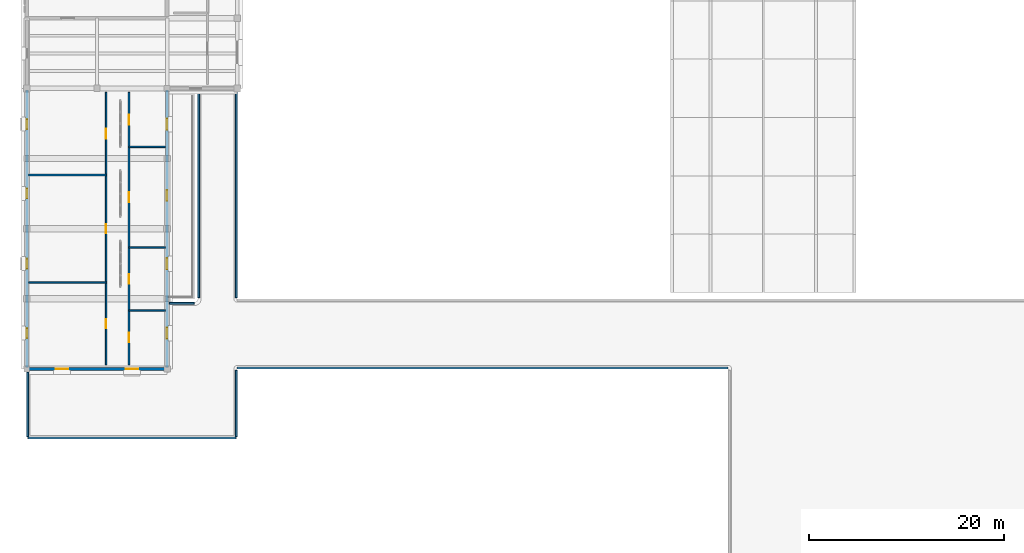
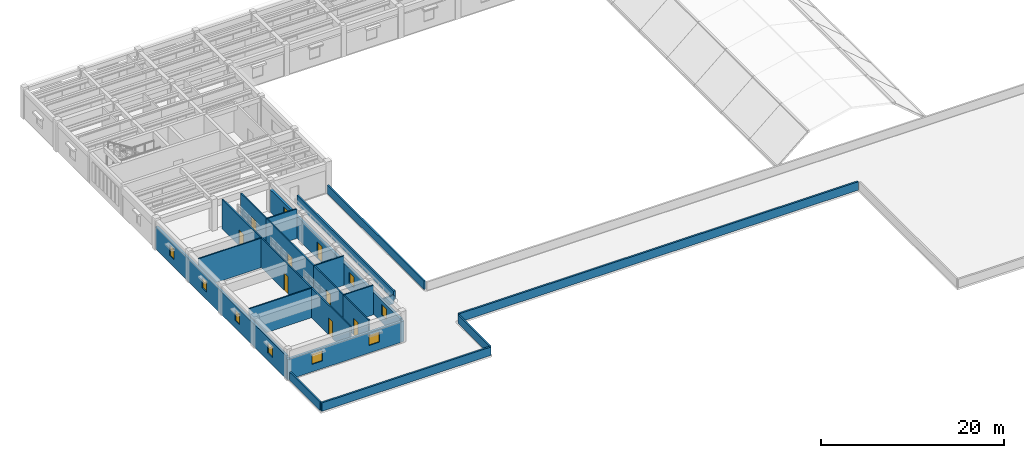
# One storey, part 19 of 40: 22 walls, 9 windows, 8 doors, 17 openings.
"""IFC4 building model written with IfcOpenShell, lengths in metres."""

from ifc_helpers import new_model, si_unit, direction, frame, frame_2d, origin, place, context, subcontext, project, spatial, rectangle, extrude, material, layer, layer_set, type_object, element, fill, save


model = new_model("IFC4")

# Units and contexts
model_context = context("Model", 3, precision=1e-05, world=origin(), true_north=direction((0.0, 1.0)))
body_context = subcontext(model_context, "Body", "Model", "MODEL_VIEW")
ifc_project = project(units=[si_unit("LENGTHUNIT", "METRE"), si_unit("AREAUNIT", "SQUARE_METRE"), si_unit("VOLUMEUNIT", "CUBIC_METRE"), si_unit("PLANEANGLEUNIT", "RADIAN"), si_unit("MASSUNIT", "GRAM", prefix="KILO")], contexts=[model_context])

# Site, building, storey
site_placement = place(None, origin())
site = spatial("IfcSite", under=ifc_project, at=site_placement, CompositionType="ELEMENT")
building_placement = place(site_placement, origin())
building = spatial("IfcBuilding", under=site, at=building_placement, Name="Mithqara Police Headquarters", CompositionType="ELEMENT")
storey_placement = place(building_placement, frame((0.0, 0.0, 13.800048828125)))
storey = spatial("IfcBuildingStorey", under=building, at=storey_placement, Name="L03", CompositionType="ELEMENT", Elevation=13.800048828125)

# Wall, openings, windows
ifc_material_1 = material(Name="Ochre masonry cavity wall, 35 MPa", Category="masonry")
ifc_layer_1 = layer(ifc_material_1, 0.300048828125, Name="Ochre masonry cavity wall, 35 MPa")
ifc_layer_set_1 = layer_set([ifc_layer_1], Name="Ochre masonry cavity wall, 35 MPa")
wall_type_1 = type_object("IfcWallType", Name="EXT WALL OCHRE BRICK300", PredefinedType="SOLIDWALL", material=ifc_layer_set_1)
wall_1_placement = place(storey_placement, frame((7.64990234375, 28.199951171875, 0.0), z_axis=(0.0, 0.0, 1.0), x_axis=(1.0, 0.0, 0.0)))
wall_1 = element("IfcWall", 1, at=wall_1_placement, inside=storey, type_object=wall_type_1, Name="L03 Exterior Wall 1.1", PredefinedType="SOLIDWALL", context=body_context, shape_type="SweptSolid", body=[
    extrude(rectangle(XDim=14.7001953125, YDim=0.300048828125, at=frame_2d((7.35009765625, 0.0))), origin(), (0.0, 0.0, 1.0), 2.739990234375),
])
opening_1_placement = place(wall_1_placement, frame((3.10009765625, 0.0, 1.0)))
opening_1 = element("IfcOpeningElement", 2, at=opening_1_placement, cuts=wall_1, Name="Opening W-16", PredefinedType="OPENING", context=body_context, shape_type="SweptSolid", body=[
    extrude(rectangle(XDim=1.300048828125, YDim=1.39990234375, at=frame_2d((0.64990234375, 0.699951171875))), frame((0.0, 0.16015625, 0.0), z_axis=(0.0, -1.0, 0.0), x_axis=(1.0, 0.0, 0.0)), (0.0, 0.0, 1.0), 0.320068359375),
])
opening_2_placement = place(wall_1_placement, frame((10.300048828125, 0.0, 1.0)))
opening_2 = element("IfcOpeningElement", 3, at=opening_2_placement, cuts=wall_1, Name="Opening W-16", PredefinedType="OPENING", context=body_context, shape_type="SweptSolid", body=[
    extrude(rectangle(XDim=1.300048828125, YDim=1.39990234375, at=frame_2d((0.64990234375, 0.699951171875))), frame((0.0, 0.16015625, 0.0), z_axis=(0.0, -1.0, 0.0), x_axis=(1.0, 0.0, 0.0)), (0.0, 0.0, 1.0), 0.320068359375),
])
ifc_material_2 = material(Name="Spectrally selective double low-e glass", Category="glass")
window_type_1 = type_object("IfcWindowType", Name="WINDOW 1300X1400", PartitioningType="SINGLE_PANEL", PredefinedType="WINDOW", material=ifc_material_2)
window_1_placement = place(opening_1_placement, origin())
window_1 = element("IfcWindow", 4, at=window_1_placement, inside=storey, type_object=window_type_1, Name="L03 Deep-Set Punched Window 1.1", OverallHeight=1.39990234375, OverallWidth=1.300048828125, PartitioningType="SINGLE_PANEL", PredefinedType="WINDOW", context=body_context, shape_type="SweptSolid", body=[
    extrude(rectangle(XDim=1.300048828125, YDim=1.39990234375, at=frame_2d((0.64990234375, 0.699951171875))), frame((0.0, 0.030029296875, 0.0), z_axis=(0.0, -1.0, 0.0), x_axis=(1.0, 0.0, 0.0)), (0.0, 0.0, 1.0), 0.06005859375),
])
fill(opening_1, window_1)
window_2_placement = place(opening_2_placement, origin())
window_2 = element("IfcWindow", 5, at=window_2_placement, inside=storey, type_object=window_type_1, Name="L03 Deep-Set Punched Window 1.2", OverallHeight=1.39990234375, OverallWidth=1.300048828125, PartitioningType="SINGLE_PANEL", PredefinedType="WINDOW", context=body_context, shape_type="SweptSolid", body=[
    extrude(rectangle(XDim=1.300048828125, YDim=1.39990234375, at=frame_2d((0.64990234375, 0.699951171875))), frame((0.0, 0.030029296875, 0.0), z_axis=(0.0, -1.0, 0.0), x_axis=(1.0, 0.0, 0.0)), (0.0, 0.0, 1.0), 0.06005859375),
])
fill(opening_2, window_2)

# Wall, openings, door, windows
wall_2_placement = place(storey_placement, frame((22.199951171875, 28.35009765625, 0.0), z_axis=(0.0, 0.0, 1.0), x_axis=(0.0, 1.0, 0.0)))
wall_2 = element("IfcWall", 6, at=wall_2_placement, inside=storey, type_object=wall_type_1, Name="L03 Exterior Wall 2.1", PredefinedType="SOLIDWALL", context=body_context, shape_type="SweptSolid", body=[
    extrude(rectangle(XDim=28.5, YDim=0.300048828125, at=frame_2d((14.25, 0.0))), origin(), (0.0, 0.0, 1.0), 2.93994140625),
])
opening_3_placement = place(wall_2_placement, frame((17.10009765625, 0.0, 0.0)))
opening_3 = element("IfcOpeningElement", 7, at=opening_3_placement, cuts=wall_2, Name="Opening TD-01", PredefinedType="OPENING", context=body_context, shape_type="SweptSolid", body=[
    extrude(rectangle(XDim=1.10009765625, YDim=2.199951171875, at=frame_2d((0.550048828125, 1.10009765625))), frame((0.0, 0.16015625, 0.0), z_axis=(0.0, -1.0, 0.0), x_axis=(1.0, 0.0, 0.0)), (0.0, 0.0, 1.0), 0.320068359375),
])
opening_4_placement = place(wall_2_placement, frame((2.949951171875, 0.0, 1.0)))
opening_4 = element("IfcOpeningElement", 8, at=opening_4_placement, cuts=wall_2, Name="Opening W-11", PredefinedType="OPENING", context=body_context, shape_type="SweptSolid", body=[
    extrude(rectangle(XDim=1.14990234375, YDim=1.39990234375, at=frame_2d((0.574951171875, 0.699951171875))), frame((0.0, 0.16015625, 0.0), z_axis=(0.0, -1.0, 0.0), x_axis=(1.0, 0.0, 0.0)), (0.0, 0.0, 1.0), 0.320068359375),
])
opening_5_placement = place(wall_2_placement, frame((10.074951171875, 0.0, 1.0)))
opening_5 = element("IfcOpeningElement", 9, at=opening_5_placement, cuts=wall_2, Name="Opening W-11", PredefinedType="OPENING", context=body_context, shape_type="SweptSolid", body=[
    extrude(rectangle(XDim=1.14990234375, YDim=1.39990234375, at=frame_2d((0.574951171875, 0.699951171875))), frame((0.0, 0.16015625, 0.0), z_axis=(0.0, -1.0, 0.0), x_axis=(1.0, 0.0, 0.0)), (0.0, 0.0, 1.0), 0.320068359375),
])
opening_6_placement = place(wall_2_placement, frame((24.39990234375, 0.0, 1.0)))
opening_6 = element("IfcOpeningElement", 10, at=opening_6_placement, cuts=wall_2, Name="Opening W-11", PredefinedType="OPENING", context=body_context, shape_type="SweptSolid", body=[
    extrude(rectangle(XDim=1.14990234375, YDim=1.39990234375, at=frame_2d((0.574951171875, 0.699951171875))), frame((0.0, 0.16015625, 0.0), z_axis=(0.0, -1.0, 0.0), x_axis=(1.0, 0.0, 0.0)), (0.0, 0.0, 1.0), 0.320068359375),
])
ifc_material_3 = material(Name="Bronze anodised aluminium 6063-T6", Category="aluminium")
door_type_1 = type_object("IfcDoorType", Name="EXT DOOR TERRACE 1100X2200", OperationType="NOTDEFINED", PredefinedType="DOOR", material=ifc_material_3)
door_1_placement = place(opening_3_placement, frame((1.10009765625, 0.0, 0.0), z_axis=(0.0, 0.0, 1.0), x_axis=(-1.0, 0.0, 0.0)))
door_1 = element("IfcDoor", 11, at=door_1_placement, inside=storey, type_object=door_type_1, Name="L03 Terrace Access Door TER-L03-W", OperationType="SINGLE_SWING_LEFT", OverallHeight=2.199951171875, OverallWidth=1.10009765625, PredefinedType="DOOR", context=body_context, shape_type="SweptSolid", body=[
    extrude(rectangle(XDim=1.10009765625, YDim=2.199951171875, at=frame_2d((0.550048828125, 1.10009765625))), frame((0.0, 0.02490234375, 0.0), z_axis=(0.0, -1.0, 0.0), x_axis=(1.0, 0.0, 0.0)), (0.0, 0.0, 1.0), 0.050048828125),
])
fill(opening_3, door_1)
window_type_2 = type_object("IfcWindowType", Name="WINDOW 1150X1400", PartitioningType="SINGLE_PANEL", PredefinedType="WINDOW", material=ifc_material_2)
window_3_placement = place(opening_4_placement, origin())
window_3 = element("IfcWindow", 12, at=window_3_placement, inside=storey, type_object=window_type_2, Name="L03 Deep-Set Punched Window 2.1", OverallHeight=1.39990234375, OverallWidth=1.14990234375, PartitioningType="SINGLE_PANEL", PredefinedType="WINDOW", context=body_context, shape_type="SweptSolid", body=[
    extrude(rectangle(XDim=1.14990234375, YDim=1.39990234375, at=frame_2d((0.574951171875, 0.699951171875))), frame((0.0, 0.030029296875, 0.0), z_axis=(0.0, -1.0, 0.0), x_axis=(1.0, 0.0, 0.0)), (0.0, 0.0, 1.0), 0.06005859375),
])
fill(opening_4, window_3)
window_4_placement = place(opening_5_placement, origin())
window_4 = element("IfcWindow", 13, at=window_4_placement, inside=storey, type_object=window_type_2, Name="L03 Deep-Set Punched Window 2.2", OverallHeight=1.39990234375, OverallWidth=1.14990234375, PartitioningType="SINGLE_PANEL", PredefinedType="WINDOW", context=body_context, shape_type="SweptSolid", body=[
    extrude(rectangle(XDim=1.14990234375, YDim=1.39990234375, at=frame_2d((0.574951171875, 0.699951171875))), frame((0.0, 0.030029296875, 0.0), z_axis=(0.0, -1.0, 0.0), x_axis=(1.0, 0.0, 0.0)), (0.0, 0.0, 1.0), 0.06005859375),
])
fill(opening_5, window_4)
window_5_placement = place(opening_6_placement, origin())
window_5 = element("IfcWindow", 14, at=window_5_placement, inside=storey, type_object=window_type_2, Name="L03 Deep-Set Punched Window 2.4", OverallHeight=1.39990234375, OverallWidth=1.14990234375, PartitioningType="SINGLE_PANEL", PredefinedType="WINDOW", context=body_context, shape_type="SweptSolid", body=[
    extrude(rectangle(XDim=1.14990234375, YDim=1.39990234375, at=frame_2d((0.574951171875, 0.699951171875))), frame((0.0, 0.030029296875, 0.0), z_axis=(0.0, -1.0, 0.0), x_axis=(1.0, 0.0, 0.0)), (0.0, 0.0, 1.0), 0.06005859375),
])
fill(opening_6, window_5)

# Wall, openings, windows
wall_3_placement = place(storey_placement, frame((7.800048828125, 56.85009765625, 0.0), z_axis=(0.0, 0.0, 1.0), x_axis=(0.0, -1.0, 0.0)))
wall_3 = element("IfcWall", 15, at=wall_3_placement, inside=storey, type_object=wall_type_1, Name="L03 Exterior Wall 18.1", PredefinedType="SOLIDWALL", context=body_context, shape_type="SweptSolid", body=[
    extrude(rectangle(XDim=28.5, YDim=0.300048828125, at=frame_2d((14.25, 0.0))), origin(), (0.0, 0.0, 1.0), 3.0400390625),
])
opening_7_placement = place(wall_3_placement, frame((24.47509765625, 0.0, 1.0)))
opening_7 = element("IfcOpeningElement", 16, at=opening_7_placement, cuts=wall_3, Name="Opening W-06", PredefinedType="OPENING", context=body_context, shape_type="SweptSolid", body=[
    extrude(rectangle(XDim=1.0, YDim=1.39990234375, at=frame_2d((0.5, 0.699951171875))), frame((0.0, 0.16015625, 0.0), z_axis=(0.0, -1.0, 0.0), x_axis=(1.0, 0.0, 0.0)), (0.0, 0.0, 1.0), 0.320068359375),
])
opening_8_placement = place(wall_3_placement, frame((17.35009765625, 0.0, 1.0)))
opening_8 = element("IfcOpeningElement", 17, at=opening_8_placement, cuts=wall_3, Name="Opening W-06", PredefinedType="OPENING", context=body_context, shape_type="SweptSolid", body=[
    extrude(rectangle(XDim=1.0, YDim=1.39990234375, at=frame_2d((0.5, 0.699951171875))), frame((0.0, 0.16015625, 0.0), z_axis=(0.0, -1.0, 0.0), x_axis=(1.0, 0.0, 0.0)), (0.0, 0.0, 1.0), 0.320068359375),
])
opening_9_placement = place(wall_3_placement, frame((10.14990234375, 0.0, 1.0)))
opening_9 = element("IfcOpeningElement", 18, at=opening_9_placement, cuts=wall_3, Name="Opening W-06", PredefinedType="OPENING", context=body_context, shape_type="SweptSolid", body=[
    extrude(rectangle(XDim=1.0, YDim=1.39990234375, at=frame_2d((0.5, 0.699951171875))), frame((0.0, 0.16015625, 0.0), z_axis=(0.0, -1.0, 0.0), x_axis=(1.0, 0.0, 0.0)), (0.0, 0.0, 1.0), 0.320068359375),
])
opening_10_placement = place(wall_3_placement, frame((3.02490234375, 0.0, 1.0)))
opening_10 = element("IfcOpeningElement", 19, at=opening_10_placement, cuts=wall_3, Name="Opening W-06", PredefinedType="OPENING", context=body_context, shape_type="SweptSolid", body=[
    extrude(rectangle(XDim=1.0, YDim=1.39990234375, at=frame_2d((0.5, 0.699951171875))), frame((0.0, 0.16015625, 0.0), z_axis=(0.0, -1.0, 0.0), x_axis=(1.0, 0.0, 0.0)), (0.0, 0.0, 1.0), 0.320068359375),
])
window_type_3 = type_object("IfcWindowType", Name="WINDOW 1000X1400", PartitioningType="SINGLE_PANEL", PredefinedType="WINDOW", material=ifc_material_2)
window_6_placement = place(opening_7_placement, origin())
window_6 = element("IfcWindow", 20, at=window_6_placement, inside=storey, type_object=window_type_3, Name="L03 Deep-Set Punched Window 18.1", OverallHeight=1.39990234375, OverallWidth=1.0, PartitioningType="SINGLE_PANEL", PredefinedType="WINDOW", context=body_context, shape_type="SweptSolid", body=[
    extrude(rectangle(XDim=1.0, YDim=1.39990234375, at=frame_2d((0.5, 0.699951171875))), frame((0.0, 0.030029296875, 0.0), z_axis=(0.0, -1.0, 0.0), x_axis=(1.0, 0.0, 0.0)), (0.0, 0.0, 1.0), 0.06005859375),
])
fill(opening_7, window_6)
window_7_placement = place(opening_8_placement, origin())
window_7 = element("IfcWindow", 21, at=window_7_placement, inside=storey, type_object=window_type_3, Name="L03 Deep-Set Punched Window 18.2", OverallHeight=1.39990234375, OverallWidth=1.0, PartitioningType="SINGLE_PANEL", PredefinedType="WINDOW", context=body_context, shape_type="SweptSolid", body=[
    extrude(rectangle(XDim=1.0, YDim=1.39990234375, at=frame_2d((0.5, 0.699951171875))), frame((0.0, 0.030029296875, 0.0), z_axis=(0.0, -1.0, 0.0), x_axis=(1.0, 0.0, 0.0)), (0.0, 0.0, 1.0), 0.06005859375),
])
fill(opening_8, window_7)
window_8_placement = place(opening_9_placement, origin())
window_8 = element("IfcWindow", 22, at=window_8_placement, inside=storey, type_object=window_type_3, Name="L03 Deep-Set Punched Window 18.3", OverallHeight=1.39990234375, OverallWidth=1.0, PartitioningType="SINGLE_PANEL", PredefinedType="WINDOW", context=body_context, shape_type="SweptSolid", body=[
    extrude(rectangle(XDim=1.0, YDim=1.39990234375, at=frame_2d((0.5, 0.699951171875))), frame((0.0, 0.030029296875, 0.0), z_axis=(0.0, -1.0, 0.0), x_axis=(1.0, 0.0, 0.0)), (0.0, 0.0, 1.0), 0.06005859375),
])
fill(opening_9, window_8)
window_9_placement = place(opening_10_placement, origin())
window_9 = element("IfcWindow", 23, at=window_9_placement, inside=storey, type_object=window_type_3, Name="L03 Deep-Set Punched Window 18.4", OverallHeight=1.39990234375, OverallWidth=1.0, PartitioningType="SINGLE_PANEL", PredefinedType="WINDOW", context=body_context, shape_type="SweptSolid", body=[
    extrude(rectangle(XDim=1.0, YDim=1.39990234375, at=frame_2d((0.5, 0.699951171875))), frame((0.0, 0.030029296875, 0.0), z_axis=(0.0, -1.0, 0.0), x_axis=(1.0, 0.0, 0.0)), (0.0, 0.0, 1.0), 0.06005859375),
])
fill(opening_10, window_9)

# Walls
ifc_material_4 = material(Name="Limestone ashlar masonry, 45 MPa", Category="masonry")
ifc_layer_2 = layer(ifc_material_4, 0.199951171875, Name="Limestone ashlar masonry, 45 MPa")
ifc_layer_set_2 = layer_set([ifc_layer_2], Name="Limestone ashlar masonry, 45 MPa")
wall_type_2 = type_object("IfcWallType", Name="PARAPET WALL 200", PredefinedType="PARAPET", material=ifc_layer_set_2)
wall_4_placement = place(storey_placement, frame((22.419921875, 34.93994140625, 0.0), z_axis=(0.0, 0.0, 1.0), x_axis=(1.0, 0.0, 0.0)))
element("IfcWall", 24, at=wall_4_placement, inside=storey, type_object=wall_type_2, Name="L03 Limestone Roof Parapet ROOF-L02-00-54", PredefinedType="PARAPET", context=body_context, shape_type="SweptSolid", body=[
    extrude(rectangle(XDim=2.580078125, YDim=0.199951171875, at=frame_2d((1.2900390625, 0.0))), origin(), (0.0, 0.0, 1.0), 1.119873046875),
])
for number, where, z_axis, x_axis, name in (
    (25, (25.4599609375, 35.510009765625, 0.0), (0.0, 0.0, 1.0), (0.0, 1.0, 0.0), "L03 Limestone Roof Parapet ROOF-L02-00-88"),
    (26, (29.2900390625, 56.669921875, 0.0), (0.0, 0.0, 1.0), (0.0, -1.0, 0.0), "L03 Limestone Roof Parapet ROOF-L02-00-90"),
):
    element("IfcWall", number, at=place(storey_placement, frame(where, z_axis=z_axis, x_axis=x_axis)), inside=storey, type_object=wall_type_2, Name=name, PredefinedType="PARAPET", context=body_context, shape_type="SweptSolid", body=[
        extrude(rectangle(XDim=21.159912109375, YDim=0.199951171875, at=frame_2d((10.580078125, 0.0))), origin(), (0.0, 0.0, 1.0), 1.119873046875),
    ])
wall_5_placement = place(storey_placement, frame((29.2900390625, 28.090087890625, 0.0), z_axis=(0.0, 0.0, 1.0), x_axis=(0.0, -1.0, 0.0)))
element("IfcWall", 27, at=wall_5_placement, inside=storey, type_object=wall_type_2, Name="L03 Limestone Roof Parapet ROOF-L02-00-366", PredefinedType="PARAPET", context=body_context, shape_type="SweptSolid", body=[
    extrude(rectangle(XDim=6.8701171875, YDim=0.199951171875, at=frame_2d((3.43505859375, 0.0))), origin(), (0.0, 0.0, 1.0), 1.119873046875),
])
wall_6_placement = place(storey_placement, frame((7.909912109375, 21.219970703125, 0.0), z_axis=(0.0, 0.0, 1.0), x_axis=(0.0, 1.0, 0.0)))
element("IfcWall", 28, at=wall_6_placement, inside=storey, type_object=wall_type_2, Name="L03 Limestone Roof Parapet ROOF-L02-00-368", PredefinedType="PARAPET", context=body_context, shape_type="SweptSolid", body=[
    extrude(rectangle(XDim=6.650146484375, YDim=0.199951171875, at=frame_2d((3.3251953125, 0.0))), origin(), (0.0, 0.0, 1.0), 1.119873046875),
])
ifc_layer_3 = layer(ifc_material_4, 0.219970703125, Name="Limestone ashlar masonry, 45 MPa")
ifc_layer_set_3 = layer_set([ifc_layer_3], Name="Limestone ashlar masonry, 45 MPa")
wall_type_3 = type_object("IfcWallType", Name="PARAPET WALL 220", PredefinedType="PARAPET", material=ifc_layer_set_3)
wall_7_placement = place(storey_placement, frame((79.800048828125, 28.31005859375, 0.0), z_axis=(0.0, 0.0, 1.0), x_axis=(-1.0, 0.0, 0.0)))
element("IfcWall", 29, at=wall_7_placement, inside=storey, type_object=wall_type_3, Name="L03 Limestone Roof Parapet ROOF-L02-00-349", PredefinedType="PARAPET", context=body_context, shape_type="SweptSolid", body=[
    extrude(rectangle(XDim=50.400146484375, YDim=0.219970703125, at=frame_2d((25.2001953125, 0.0))), origin(), (0.0, 0.0, 1.0), 1.119873046875),
])
wall_8_placement = place(storey_placement, frame((29.2900390625, 21.110107421875, 0.0), z_axis=(0.0, 0.0, 1.0), x_axis=(-1.0, 0.0, 0.0)))
element("IfcWall", 30, at=wall_8_placement, inside=storey, type_object=wall_type_3, Name="L03 Limestone Roof Parapet ROOF-L02-00-367", PredefinedType="PARAPET", context=body_context, shape_type="SweptSolid", body=[
    extrude(rectangle(XDim=21.380126953125, YDim=0.219970703125, at=frame_2d((10.68994140625, 0.0))), origin(), (0.0, 0.0, 1.0), 1.119873046875),
])

# Wall, opening, door
ifc_material_5 = material(Name="Gypsum acoustic stud partition", Category="gypsum")
ifc_layer_4 = layer(ifc_material_5, 0.159912109375, Name="Gypsum acoustic stud partition")
ifc_layer_set_4 = layer_set([ifc_layer_4], Name="Gypsum acoustic stud partition")
wall_type_4 = type_object("IfcWallType", Name="PART WALL 160", PredefinedType="PARTITIONING", material=ifc_layer_set_4)
wall_9_placement = place(storey_placement, frame((15.949951171875, 28.6201171875, 0.0), z_axis=(0.0, 0.0, 1.0), x_axis=(0.0, 1.0, 0.0)))
wall_9 = element("IfcWall", 31, at=wall_9_placement, inside=storey, type_object=wall_type_4, Name="L03 Corridor Wall Training Gymnasium", PredefinedType="PARTITIONING", context=body_context, shape_type="SweptSolid", body=[
    extrude(rectangle(XDim=8.469970703125, YDim=0.159912109375, at=frame_2d((4.23486328125, 0.0))), origin(), (0.0, 0.0, 1.0), 3.93994140625),
])
opening_11_placement = place(wall_9_placement, frame((3.77490234375, 0.0, 0.0)))
opening_11 = element("IfcOpeningElement", 32, at=opening_11_placement, cuts=wall_9, Name="Opening D-02", PredefinedType="OPENING", context=body_context, shape_type="SweptSolid", body=[
    extrude(rectangle(XDim=0.919921875, YDim=2.219970703125, at=frame_2d((0.4599609375, 1.10986328125))), frame((0.0, 0.08984375, 0.0), z_axis=(0.0, -1.0, 0.0), x_axis=(1.0, 0.0, 0.0)), (0.0, 0.0, 1.0), 0.179931640625),
])
ifc_material_6 = material(Name="Acoustic solid-core timber leaf", Category="wood")
door_type_2 = type_object("IfcDoorType", Name="INT DOOR 920X2220", OperationType="NOTDEFINED", PredefinedType="DOOR", material=ifc_material_6)
door_2_placement = place(opening_11_placement, frame((0.919921875, 0.0, 0.0), z_axis=(0.0, 0.0, 1.0), x_axis=(-1.0, 0.0, 0.0)))
door_2 = element("IfcDoor", 33, at=door_2_placement, inside=storey, type_object=door_type_2, Name="Training Gymnasium Entry Door", OperationType="SINGLE_SWING_LEFT", OverallHeight=2.219970703125, OverallWidth=0.919921875, PredefinedType="DOOR", context=body_context, shape_type="SweptSolid", body=[
    extrude(rectangle(XDim=0.919921875, YDim=2.219970703125, at=frame_2d((0.4599609375, 1.10986328125))), frame((0.0, 0.02490234375, 0.0), z_axis=(0.0, -1.0, 0.0), x_axis=(1.0, 0.0, 0.0)), (0.0, 0.0, 1.0), 0.050048828125),
])
fill(opening_11, door_2)

# Wall
wall_10_placement = place(storey_placement, frame((7.97998046875, 37.090087890625, 0.0), z_axis=(0.0, 0.0, 1.0), x_axis=(1.0, 0.0, 0.0)))
element("IfcWall", 34, at=wall_10_placement, inside=storey, type_object=wall_type_4, Name="L03 Room Partition Training Gymnasium", PredefinedType="PARTITIONING", context=body_context, shape_type="SweptSolid", body=[
    extrude(rectangle(XDim=7.969970703125, YDim=0.159912109375, at=frame_2d((3.98486328125, 0.0))), origin(), (0.0, 0.0, 1.0), 3.93994140625),
])

# Wall, opening, door
wall_11_placement = place(storey_placement, frame((15.949951171875, 37.090087890625, 0.0), z_axis=(0.0, 0.0, 1.0), x_axis=(0.0, 1.0, 0.0)))
wall_11 = element("IfcWall", 35, at=wall_11_placement, inside=storey, type_object=wall_type_4, Name="L03 Corridor Wall Defensive Tactics Studio", PredefinedType="PARTITIONING", context=body_context, shape_type="SweptSolid", body=[
    extrude(rectangle(XDim=11.02001953125, YDim=0.159912109375, at=frame_2d((5.510009765625, 0.0))), origin(), (0.0, 0.0, 1.0), 3.93994140625),
])
opening_12_placement = place(wall_11_placement, frame((5.050048828125, 0.0, 0.0)))
opening_12 = element("IfcOpeningElement", 36, at=opening_12_placement, cuts=wall_11, Name="Opening D-03", PredefinedType="OPENING", context=body_context, shape_type="SweptSolid", body=[
    extrude(rectangle(XDim=0.919921875, YDim=2.35009765625, at=frame_2d((0.4599609375, 1.175048828125))), frame((0.0, 0.08984375, 0.0), z_axis=(0.0, -1.0, 0.0), x_axis=(1.0, 0.0, 0.0)), (0.0, 0.0, 1.0), 0.179931640625),
])
door_type_3 = type_object("IfcDoorType", Name="INT DOOR 920X2350", OperationType="NOTDEFINED", PredefinedType="DOOR", material=ifc_material_6)
door_3_placement = place(opening_12_placement, frame((0.919921875, 0.0, 0.0), z_axis=(0.0, 0.0, 1.0), x_axis=(-1.0, 0.0, 0.0)))
door_3 = element("IfcDoor", 37, at=door_3_placement, inside=storey, type_object=door_type_3, Name="Defensive Tactics Studio Entry Door", OperationType="SINGLE_SWING_RIGHT", OverallHeight=2.35009765625, OverallWidth=0.919921875, PredefinedType="DOOR", context=body_context, shape_type="SweptSolid", body=[
    extrude(rectangle(XDim=0.919921875, YDim=2.35009765625, at=frame_2d((0.4599609375, 1.175048828125))), frame((0.0, 0.02490234375, 0.0), z_axis=(0.0, -1.0, 0.0), x_axis=(1.0, 0.0, 0.0)), (0.0, 0.0, 1.0), 0.050048828125),
])
fill(opening_12, door_3)

# Wall
wall_12_placement = place(storey_placement, frame((7.97998046875, 48.110107421875, 0.0), z_axis=(0.0, 0.0, 1.0), x_axis=(1.0, 0.0, 0.0)))
element("IfcWall", 38, at=wall_12_placement, inside=storey, type_object=wall_type_4, Name="L03 Room Partition Defensive Tactics Studio", PredefinedType="PARTITIONING", context=body_context, shape_type="SweptSolid", body=[
    extrude(rectangle(XDim=7.969970703125, YDim=0.159912109375, at=frame_2d((3.98486328125, 0.0))), origin(), (0.0, 0.0, 1.0), 3.93994140625),
])

# Wall, opening, door
wall_13_placement = place(storey_placement, frame((15.949951171875, 48.110107421875, 0.0), z_axis=(0.0, 0.0, 1.0), x_axis=(0.0, 1.0, 0.0)))
wall_13 = element("IfcWall", 39, at=wall_13_placement, inside=storey, type_object=wall_type_4, Name="L03 Corridor Wall Physiotherapy Room", PredefinedType="PARTITIONING", context=body_context, shape_type="SweptSolid", body=[
    extrude(rectangle(XDim=8.469970703125, YDim=0.159912109375, at=frame_2d((4.23486328125, 0.0))), origin(), (0.0, 0.0, 1.0), 3.93994140625),
])
opening_13_placement = place(wall_13_placement, frame((3.7451171875, 0.0, 0.0)))
opening_13 = element("IfcOpeningElement", 40, at=opening_13_placement, cuts=wall_13, Name="Opening D-04", PredefinedType="OPENING", context=body_context, shape_type="SweptSolid", body=[
    extrude(rectangle(XDim=0.97998046875, YDim=2.10009765625, at=frame_2d((0.489990234375, 1.050048828125))), frame((0.0, 0.08984375, 0.0), z_axis=(0.0, -1.0, 0.0), x_axis=(1.0, 0.0, 0.0)), (0.0, 0.0, 1.0), 0.179931640625),
])
door_type_4 = type_object("IfcDoorType", Name="INT DOOR 980X2100", OperationType="NOTDEFINED", PredefinedType="DOOR", material=ifc_material_6)
door_4_placement = place(opening_13_placement, frame((0.97998046875, 0.0, 0.0), z_axis=(0.0, 0.0, 1.0), x_axis=(-1.0, 0.0, 0.0)))
door_4 = element("IfcDoor", 41, at=door_4_placement, inside=storey, type_object=door_type_4, Name="Physiotherapy Room Entry Door", OperationType="SINGLE_SWING_LEFT", OverallHeight=2.10009765625, OverallWidth=0.97998046875, PredefinedType="DOOR", context=body_context, shape_type="SweptSolid", body=[
    extrude(rectangle(XDim=0.97998046875, YDim=2.10009765625, at=frame_2d((0.489990234375, 1.050048828125))), frame((0.0, 0.02490234375, 0.0), z_axis=(0.0, -1.0, 0.0), x_axis=(1.0, 0.0, 0.0)), (0.0, 0.0, 1.0), 0.050048828125),
])
fill(opening_13, door_4)

wall_14_placement = place(storey_placement, frame((18.2900390625, 28.6201171875, 0.0), z_axis=(0.0, 0.0, 1.0), x_axis=(0.0, 1.0, 0.0)))
wall_14 = element("IfcWall", 42, at=wall_14_placement, inside=storey, type_object=wall_type_4, Name="L03 Corridor Wall Training Gymnasium", PredefinedType="PARTITIONING", context=body_context, shape_type="SweptSolid", body=[
    extrude(rectangle(XDim=5.591796875, YDim=0.159912109375, at=frame_2d((2.7958984375, 0.0))), origin(), (0.0, 0.0, 1.0), 3.93994140625),
])
opening_14_placement = place(wall_14_placement, frame((2.305908203125, 0.0, 0.0)))
opening_14 = element("IfcOpeningElement", 43, at=opening_14_placement, cuts=wall_14, Name="Opening D-05", PredefinedType="OPENING", context=body_context, shape_type="SweptSolid", body=[
    extrude(rectangle(XDim=0.97998046875, YDim=2.219970703125, at=frame_2d((0.489990234375, 1.10986328125))), frame((0.0, 0.08984375, 0.0), z_axis=(0.0, -1.0, 0.0), x_axis=(1.0, 0.0, 0.0)), (0.0, 0.0, 1.0), 0.179931640625),
])
door_type_5 = type_object("IfcDoorType", Name="INT DOOR 980X2220", OperationType="NOTDEFINED", PredefinedType="DOOR", material=ifc_material_6)
door_5_placement = place(opening_14_placement, origin())
door_5 = element("IfcDoor", 44, at=door_5_placement, inside=storey, type_object=door_type_5, Name="Training Gymnasium Entry Door", OperationType="SINGLE_SWING_RIGHT", OverallHeight=2.219970703125, OverallWidth=0.97998046875, PredefinedType="DOOR", context=body_context, shape_type="SweptSolid", body=[
    extrude(rectangle(XDim=0.97998046875, YDim=2.219970703125, at=frame_2d((0.489990234375, 1.10986328125))), frame((0.0, 0.02490234375, 0.0), z_axis=(0.0, -1.0, 0.0), x_axis=(1.0, 0.0, 0.0)), (0.0, 0.0, 1.0), 0.050048828125),
])
fill(opening_14, door_5)

# Wall
wall_15_placement = place(storey_placement, frame((18.2900390625, 34.2119140625, 0.0), z_axis=(0.0, 0.0, 1.0), x_axis=(1.0, 0.0, 0.0)))
element("IfcWall", 45, at=wall_15_placement, inside=storey, type_object=wall_type_4, Name="L03 Room Partition Training Gymnasium", PredefinedType="PARTITIONING", context=body_context, shape_type="SweptSolid", body=[
    extrude(rectangle(XDim=3.72998046875, YDim=0.159912109375, at=frame_2d((1.864990234375, 0.0))), origin(), (0.0, 0.0, 1.0), 3.93994140625),
])

# Wall, opening, door
wall_16_placement = place(storey_placement, frame((18.2900390625, 34.2119140625, 0.0), z_axis=(0.0, 0.0, 1.0), x_axis=(0.0, 1.0, 0.0)))
wall_16 = element("IfcWall", 46, at=wall_16_placement, inside=storey, type_object=wall_type_4, Name="L03 Corridor Wall Defensive Tactics Studio", PredefinedType="PARTITIONING", context=body_context, shape_type="SweptSolid", body=[
    extrude(rectangle(XDim=6.442138671875, YDim=0.159912109375, at=frame_2d((3.22119140625, 0.0))), origin(), (0.0, 0.0, 1.0), 3.93994140625),
])
opening_15_placement = place(wall_16_placement, frame((2.73095703125, 0.0, 0.0)))
opening_15 = element("IfcOpeningElement", 47, at=opening_15_placement, cuts=wall_16, Name="Opening D-06", PredefinedType="OPENING", context=body_context, shape_type="SweptSolid", body=[
    extrude(rectangle(XDim=0.97998046875, YDim=2.35009765625, at=frame_2d((0.489990234375, 1.175048828125))), frame((0.0, 0.08984375, 0.0), z_axis=(0.0, -1.0, 0.0), x_axis=(1.0, 0.0, 0.0)), (0.0, 0.0, 1.0), 0.179931640625),
])
door_type_6 = type_object("IfcDoorType", Name="INT DOOR 980X2350", OperationType="NOTDEFINED", PredefinedType="DOOR", material=ifc_material_6)
door_6_placement = place(opening_15_placement, origin())
door_6 = element("IfcDoor", 48, at=door_6_placement, inside=storey, type_object=door_type_6, Name="Defensive Tactics Studio Entry Door", OperationType="SINGLE_SWING_LEFT", OverallHeight=2.35009765625, OverallWidth=0.97998046875, PredefinedType="DOOR", context=body_context, shape_type="SweptSolid", body=[
    extrude(rectangle(XDim=0.97998046875, YDim=2.35009765625, at=frame_2d((0.489990234375, 1.175048828125))), frame((0.0, 0.02490234375, 0.0), z_axis=(0.0, -1.0, 0.0), x_axis=(1.0, 0.0, 0.0)), (0.0, 0.0, 1.0), 0.050048828125),
])
fill(opening_15, door_6)

# Wall
wall_17_placement = place(storey_placement, frame((18.2900390625, 40.654052734375, 0.0), z_axis=(0.0, 0.0, 1.0), x_axis=(1.0, 0.0, 0.0)))
element("IfcWall", 49, at=wall_17_placement, inside=storey, type_object=wall_type_4, Name="L03 Room Partition Defensive Tactics Studio", PredefinedType="PARTITIONING", context=body_context, shape_type="SweptSolid", body=[
    extrude(rectangle(XDim=3.72998046875, YDim=0.159912109375, at=frame_2d((1.864990234375, 0.0))), origin(), (0.0, 0.0, 1.0), 3.93994140625),
])

# Wall, opening, door
wall_18_placement = place(storey_placement, frame((18.2900390625, 40.654052734375, 0.0), z_axis=(0.0, 0.0, 1.0), x_axis=(0.0, 1.0, 0.0)))
wall_18 = element("IfcWall", 50, at=wall_18_placement, inside=storey, type_object=wall_type_4, Name="L03 Corridor Wall Physiotherapy Room", PredefinedType="PARTITIONING", context=body_context, shape_type="SweptSolid", body=[
    extrude(rectangle(XDim=10.333984375, YDim=0.159912109375, at=frame_2d((5.1669921875, 0.0))), origin(), (0.0, 0.0, 1.0), 3.93994140625),
])
opening_16_placement = place(wall_18_placement, frame((4.64697265625, 0.0, 0.0)))
opening_16 = element("IfcOpeningElement", 51, at=opening_16_placement, cuts=wall_18, Name="Opening D-07", PredefinedType="OPENING", context=body_context, shape_type="SweptSolid", body=[
    extrude(rectangle(XDim=1.0400390625, YDim=2.10009765625, at=frame_2d((0.52001953125, 1.050048828125))), frame((0.0, 0.08984375, 0.0), z_axis=(0.0, -1.0, 0.0), x_axis=(1.0, 0.0, 0.0)), (0.0, 0.0, 1.0), 0.179931640625),
])
door_type_7 = type_object("IfcDoorType", Name="INT DOOR 1040X2100", OperationType="NOTDEFINED", PredefinedType="DOOR", material=ifc_material_6)
door_7_placement = place(opening_16_placement, origin())
door_7 = element("IfcDoor", 52, at=door_7_placement, inside=storey, type_object=door_type_7, Name="Physiotherapy Room Entry Door", OperationType="SINGLE_SWING_RIGHT", OverallHeight=2.10009765625, OverallWidth=1.0400390625, PredefinedType="DOOR", context=body_context, shape_type="SweptSolid", body=[
    extrude(rectangle(XDim=1.0400390625, YDim=2.10009765625, at=frame_2d((0.52001953125, 1.050048828125))), frame((0.0, 0.02490234375, 0.0), z_axis=(0.0, -1.0, 0.0), x_axis=(1.0, 0.0, 0.0)), (0.0, 0.0, 1.0), 0.050048828125),
])
fill(opening_16, door_7)

# Wall
wall_19_placement = place(storey_placement, frame((18.2900390625, 50.988037109375, 0.0), z_axis=(0.0, 0.0, 1.0), x_axis=(1.0, 0.0, 0.0)))
element("IfcWall", 53, at=wall_19_placement, inside=storey, type_object=wall_type_4, Name="L03 Room Partition Physiotherapy Room", PredefinedType="PARTITIONING", context=body_context, shape_type="SweptSolid", body=[
    extrude(rectangle(XDim=3.72998046875, YDim=0.159912109375, at=frame_2d((1.864990234375, 0.0))), origin(), (0.0, 0.0, 1.0), 3.93994140625),
])

# Wall, opening, door
wall_20_placement = place(storey_placement, frame((18.2900390625, 50.988037109375, 0.0), z_axis=(0.0, 0.0, 1.0), x_axis=(0.0, 1.0, 0.0)))
wall_20 = element("IfcWall", 54, at=wall_20_placement, inside=storey, type_object=wall_type_4, Name="L03 Corridor Wall Training Gymnasium", PredefinedType="PARTITIONING", context=body_context, shape_type="SweptSolid", body=[
    extrude(rectangle(XDim=5.592041015625, YDim=0.159912109375, at=frame_2d((2.7958984375, 0.0))), origin(), (0.0, 0.0, 1.0), 3.93994140625),
])
opening_17_placement = place(wall_20_placement, frame((2.27587890625, 0.0, 0.0)))
opening_17 = element("IfcOpeningElement", 55, at=opening_17_placement, cuts=wall_20, Name="Opening D-08", PredefinedType="OPENING", context=body_context, shape_type="SweptSolid", body=[
    extrude(rectangle(XDim=1.0400390625, YDim=2.219970703125, at=frame_2d((0.52001953125, 1.10986328125))), frame((0.0, 0.08984375, 0.0), z_axis=(0.0, -1.0, 0.0), x_axis=(1.0, 0.0, 0.0)), (0.0, 0.0, 1.0), 0.179931640625),
])
door_type_8 = type_object("IfcDoorType", Name="INT DOOR 1040X2220", OperationType="NOTDEFINED", PredefinedType="DOOR", material=ifc_material_6)
door_8_placement = place(opening_17_placement, origin())
door_8 = element("IfcDoor", 56, at=door_8_placement, inside=storey, type_object=door_type_8, Name="Training Gymnasium Entry Door", OperationType="SINGLE_SWING_LEFT", OverallHeight=2.219970703125, OverallWidth=1.0400390625, PredefinedType="DOOR", context=body_context, shape_type="SweptSolid", body=[
    extrude(rectangle(XDim=1.0400390625, YDim=2.219970703125, at=frame_2d((0.52001953125, 1.10986328125))), frame((0.0, 0.02490234375, 0.0), z_axis=(0.0, -1.0, 0.0), x_axis=(1.0, 0.0, 0.0)), (0.0, 0.0, 1.0), 0.050048828125),
])
fill(opening_17, door_8)

save(model, "model.ifc")
